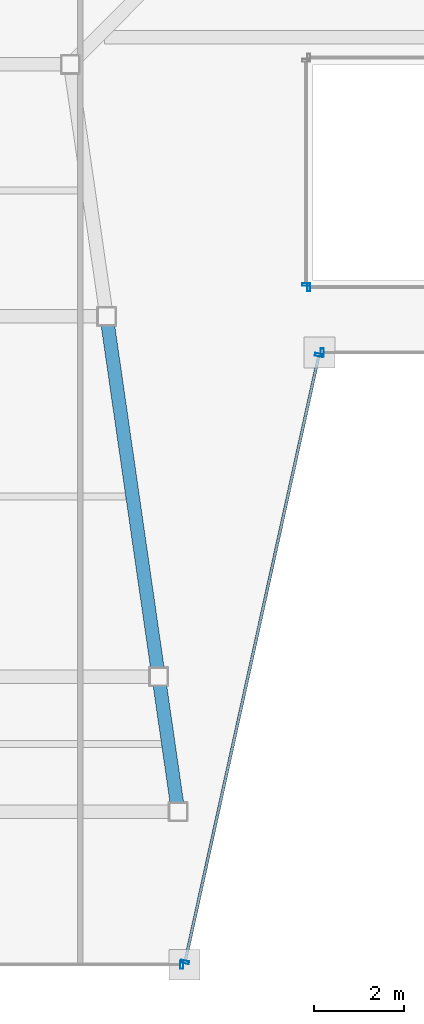
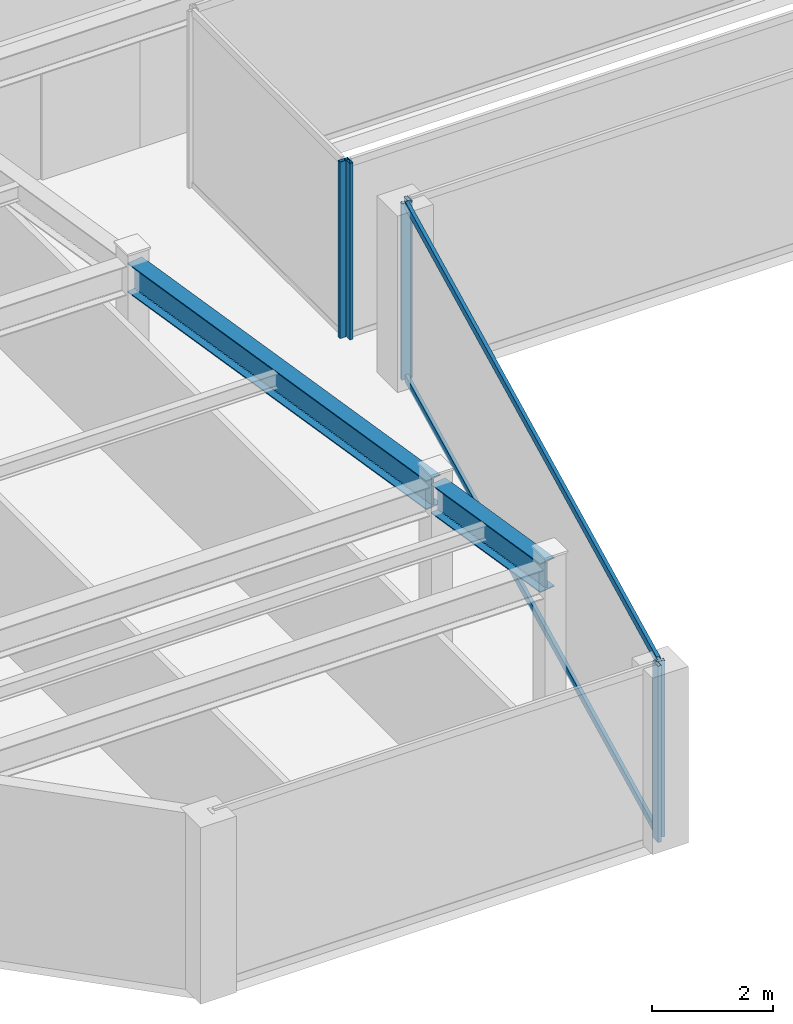
# One storey, part 5 of 33: 8 members, 2 beams, 5 elements without a shape of their own.
"""IFC4 building model written with IfcOpenShell, lengths in metres."""

from ifc_helpers import new_model, si_unit, direction, frame, origin, origin_2d, place, context, subcontext, project, spatial, hollow_rectangle, i_section, extrude, material, material_profile, profile_set, type_object, element, aggregate, save


model = new_model("IFC4")

# Units and contexts
model_context = context("Model", 3, precision=1e-05, world=origin(), true_north=direction((0.0, 1.0)))
body_context = subcontext(model_context, "Body", "Model", "MODEL_VIEW")
ifc_project = project(units=[si_unit("LENGTHUNIT", "METRE"), si_unit("AREAUNIT", "SQUARE_METRE"), si_unit("VOLUMEUNIT", "CUBIC_METRE"), si_unit("PLANEANGLEUNIT", "RADIAN"), si_unit("MASSUNIT", "GRAM", prefix="KILO")], contexts=[model_context])

# Site, building, storey
site_placement = place(None, origin())
site = spatial("IfcSite", under=ifc_project, at=site_placement, CompositionType="ELEMENT")
building_placement = place(site_placement, origin())
building = spatial("IfcBuilding", under=site, at=building_placement, Name="Saevonmaru Cultural Tower", CompositionType="ELEMENT")
storey_placement = place(building_placement, frame((0.0, 0.0, 234.39990234375)))
storey = spatial("IfcBuildingStorey", under=building, at=storey_placement, Name="L54", CompositionType="ELEMENT", Elevation=234.39990234375)

# Beams
ifc_material_1 = material(Name="Steel SM355", Category="steel")
ifc_material_profile_1 = material_profile(ifc_material_1, i_section(OverallWidth=0.300048828125, OverallDepth=0.587890625, WebThickness=0.011962890625, FlangeThickness=0.02001953125, FilletRadius=0.02392578125, at=origin_2d()), Name="H-588x300x12x20")
ifc_profile_set_1 = profile_set([ifc_material_profile_1], Name="Steel SM355")
beam_type = type_object("IfcBeamType", Name="BM-G-H588", PredefinedType="BEAM", material=ifc_profile_set_1)
beam_1_placement = place(storey_placement, frame((21.197509765625, 21.059326171875, 3.256103515625), z_axis=(-0.143229094195, 0.989689560709, 0.0), x_axis=(-0.989689560709, -0.143229094195, 0.0)))
element("IfcBeam", 1, at=beam_1_placement, inside=storey, type_object=beam_type, Name="L54 West Atrium Girder 1", PredefinedType="BEAM", context=body_context, shape_type="SweptSolid", body=[
    extrude(i_section(OverallWidth=0.300048828125, OverallDepth=0.587890625, WebThickness=0.011962890625, FlangeThickness=0.02001953125, FilletRadius=0.02392578125, at=origin_2d()), origin(), (0.0, 0.0, 1.0), 2.911376953125),
])
beam_2_placement = place(storey_placement, frame((20.763427734375, 24.059326171875, 3.256103515625), z_axis=(-0.142902032203, 0.989736838353, 0.0), x_axis=(-0.989736838353, -0.142902032203, 0.0)))
element("IfcBeam", 2, at=beam_2_placement, inside=storey, type_object=beam_type, Name="L54 West Atrium Girder 2", PredefinedType="BEAM", context=body_context, shape_type="SweptSolid", body=[
    extrude(i_section(OverallWidth=0.300048828125, OverallDepth=0.587890625, WebThickness=0.011962890625, FlangeThickness=0.02001953125, FilletRadius=0.02392578125, at=origin_2d()), origin(), (0.0, 0.0, 1.0), 7.963134765625),
])

# Curtain wall, member
ifc_material_2 = material(Name="Satin Bronze Anodised Aluminium", Category="aluminium")
curtain_wall_type_1 = type_object("IfcCurtainWallType", Name="CW-TYP-B", PredefinedType="NOTDEFINED", material=ifc_material_2)
curtain_wall_1_placement = place(storey_placement, origin())
curtain_wall_1 = element("IfcCurtainWall", 3, at=curtain_wall_1_placement, inside=storey, type_object=curtain_wall_type_1, Name="L54 Unitised Curtain Wall E2", PredefinedType="NOTDEFINED")
ifc_material_profile_2 = material_profile(ifc_material_2, hollow_rectangle(XDim=0.06494140625, YDim=0.179931640625, WallThickness=0.00390625, at=origin_2d()), Name="ALU-MULL-180x65x4")
ifc_profile_set_2 = profile_set([ifc_material_profile_2], Name="Satin Bronze Anodised Aluminium")
member_type_1 = type_object("IfcMemberType", Name="ML-CW-180x65", PredefinedType="MULLION", material=ifc_profile_set_2)
member_1_placement = place(storey_placement, frame((21.28662109375, 17.60009765625, 0.0), z_axis=(0.0, 0.0, 1.0), x_axis=(1.0, 0.0, 0.0)))
member_1 = element("IfcMember", 4, at=member_1_placement, type_object=member_type_1, Name="CW-TW-L54-E2 mullion 2", PredefinedType="MULLION", context=body_context, shape_type="SweptSolid", body=[
    extrude(hollow_rectangle(XDim=0.06494140625, YDim=0.179931640625, WallThickness=0.00390625, at=origin_2d()), origin(), (0.0, 0.0, 1.0), 3.550048828125),
])
aggregate(curtain_wall_1, [member_1])

# Curtain wall, members
curtain_wall_2_placement = place(storey_placement, origin())
curtain_wall_2 = element("IfcCurtainWall", 5, at=curtain_wall_2_placement, inside=storey, type_object=curtain_wall_type_1, Name="L54 Unitised Curtain Wall E3", PredefinedType="NOTDEFINED")
member_2_placement = place(storey_placement, frame((21.359619140625, 17.65869140625, 0.0), z_axis=(0.0, 0.0, 1.0), x_axis=(0.215413319953, 0.976522965212, 0.0)))
member_2 = element("IfcMember", 6, at=member_2_placement, type_object=member_type_1, Name="CW-TW-L54-E3 mullion 1", PredefinedType="MULLION", context=body_context, shape_type="SweptSolid", body=[
    extrude(hollow_rectangle(XDim=0.06494140625, YDim=0.179931640625, WallThickness=0.00390625, at=origin_2d()), origin(), (0.0, 0.0, 1.0), 3.550048828125),
])
member_3_placement = place(storey_placement, frame((24.333740234375, 31.141357421875, 0.0), z_axis=(0.0, 0.0, 1.0), x_axis=(0.215413319953, 0.976522965212, 0.0)))
member_3 = element("IfcMember", 7, at=member_3_placement, type_object=member_type_1, Name="CW-TW-L54-E3 mullion 2", PredefinedType="MULLION", context=body_context, shape_type="SweptSolid", body=[
    extrude(hollow_rectangle(XDim=0.06494140625, YDim=0.179931640625, WallThickness=0.00390625, at=origin_2d()), origin(), (0.0, 0.0, 1.0), 3.550048828125),
])

# Curtain wall, member
curtain_wall_3_placement = place(storey_placement, origin())
curtain_wall_3 = element("IfcCurtainWall", 8, at=curtain_wall_3_placement, inside=storey, type_object=curtain_wall_type_1, Name="L54 Unitised Curtain Wall E4", PredefinedType="NOTDEFINED")
member_4_placement = place(storey_placement, frame((24.40673828125, 31.199951171875, 0.0), z_axis=(0.0, 0.0, 1.0), x_axis=(1.0, 0.0, 0.0)))
member_4 = element("IfcMember", 9, at=member_4_placement, type_object=member_type_1, Name="CW-TW-L54-E4 mullion 1", PredefinedType="MULLION", context=body_context, shape_type="SweptSolid", body=[
    extrude(hollow_rectangle(XDim=0.06494140625, YDim=0.179931640625, WallThickness=0.00390625, at=origin_2d()), origin(), (0.0, 0.0, 1.0), 3.550048828125),
])
aggregate(curtain_wall_3, [member_4])

curtain_wall_type_2 = type_object("IfcCurtainWallType", Name="CW-ATR-GLZ", PredefinedType="NOTDEFINED", material=ifc_material_2)
curtain_wall_4_placement = place(storey_placement, origin())
curtain_wall_4 = element("IfcCurtainWall", 10, at=curtain_wall_4_placement, inside=storey, type_object=curtain_wall_type_2, Name="L54 Vertical Atrium Glazed Smoke Screen 1", PredefinedType="NOTDEFINED")
ifc_material_profile_3 = material_profile(ifc_material_2, hollow_rectangle(XDim=0.06494140625, YDim=0.179931640625, WallThickness=0.00390625, at=origin_2d()), Name="ALU-MULL-180x65x4")
ifc_profile_set_3 = profile_set([ifc_material_profile_3], Name="Satin Bronze Anodised Aluminium")
member_type_2 = type_object("IfcMemberType", Name="ML-CW-INT-180x65", PredefinedType="MULLION", material=ifc_profile_set_3)
member_5_placement = place(storey_placement, frame((24.110107421875, 32.64990234375, 0.0), z_axis=(0.0, 0.0, 1.0), x_axis=(1.0, 0.0, 0.0)))
member_5 = element("IfcMember", 11, at=member_5_placement, type_object=member_type_2, Name="CW-ATR-L54-1 mullion 1", PredefinedType="MULLION", context=body_context, shape_type="SweptSolid", body=[
    extrude(hollow_rectangle(XDim=0.06494140625, YDim=0.179931640625, WallThickness=0.00390625, at=origin_2d()), origin(), (0.0, 0.0, 1.0), 3.550048828125),
])
aggregate(curtain_wall_4, [member_5])

curtain_wall_5_placement = place(storey_placement, origin())
curtain_wall_5 = element("IfcCurtainWall", 12, at=curtain_wall_5_placement, inside=storey, type_object=curtain_wall_type_2, Name="L54 Vertical Atrium Glazed Smoke Screen 4", PredefinedType="NOTDEFINED")
member_6_placement = place(storey_placement, frame((24.050048828125, 32.7099609375, 0.0), z_axis=(0.0, 0.0, 1.0), x_axis=(0.0, -1.0, 0.0)))
member_6 = element("IfcMember", 13, at=member_6_placement, type_object=member_type_2, Name="CW-ATR-L54-4 mullion 2", PredefinedType="MULLION", context=body_context, shape_type="SweptSolid", body=[
    extrude(hollow_rectangle(XDim=0.06494140625, YDim=0.179931640625, WallThickness=0.00390625, at=origin_2d()), origin(), (0.0, 0.0, 1.0), 3.550048828125),
])
aggregate(curtain_wall_5, [member_6])

# Member
ifc_material_profile_4 = material_profile(ifc_material_2, hollow_rectangle(XDim=0.06494140625, YDim=0.14990234375, WallThickness=0.00390625, at=origin_2d()), Name="ALU-TRAN-150x65x4")
ifc_profile_set_4 = profile_set([ifc_material_profile_4], Name="Satin Bronze Anodised Aluminium")
member_type_3 = type_object("IfcMemberType", Name="TR-CW-150x65", PredefinedType="USERDEFINED", material=ifc_profile_set_4)
member_7_placement = place(storey_placement, frame((21.36669921875, 17.6904296875, 0.03271484375), z_axis=(0.215415884539, 0.976522399481, 0.0), x_axis=(-0.976522399481, 0.215415884539, 0.0)))
member_7 = element("IfcMember", 14, at=member_7_placement, type_object=member_type_3, Name="CW-TW-L54-E3 transom 1.1", ObjectType="TRANSOM", PredefinedType="USERDEFINED", context=body_context, shape_type="SweptSolid", body=[
    extrude(hollow_rectangle(XDim=0.06494140625, YDim=0.14990234375, WallThickness=0.00390625, at=origin_2d()), origin(), (0.0, 0.0, 1.0), 13.74169921875),
])

member_8_placement = place(storey_placement, frame((21.36669921875, 17.6904296875, 3.517578125), z_axis=(0.215415884539, 0.976522399481, 0.0), x_axis=(-0.976522399481, 0.215415884539, 0.0)))
member_8 = element("IfcMember", 15, at=member_8_placement, type_object=member_type_3, Name="CW-TW-L54-E3 transom 1.2", ObjectType="TRANSOM", PredefinedType="USERDEFINED", context=body_context, shape_type="SweptSolid", body=[
    extrude(hollow_rectangle(XDim=0.06494140625, YDim=0.14990234375, WallThickness=0.00390625, at=origin_2d()), origin(), (0.0, 0.0, 1.0), 13.74169921875),
])

aggregate(curtain_wall_2, [member_2, member_3, member_7, member_8])

save(model, "model.ifc")
